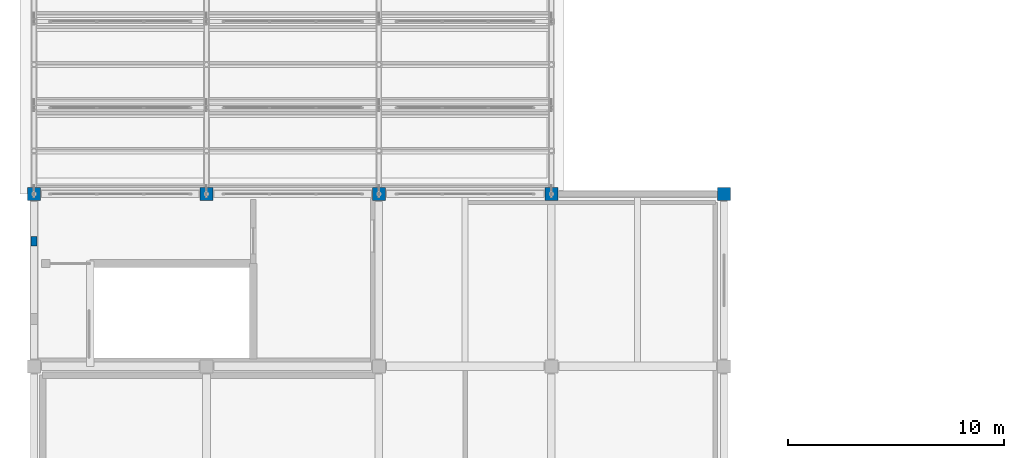
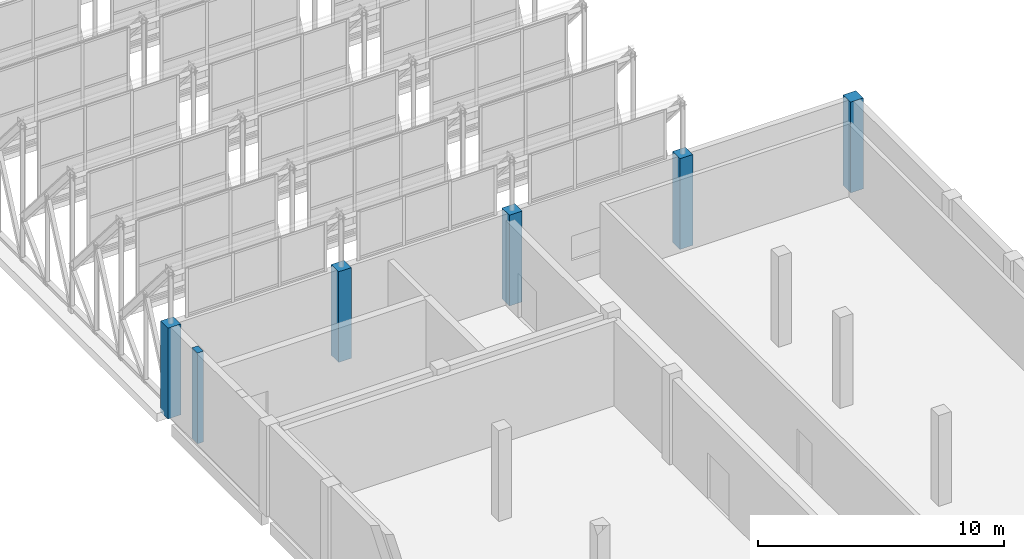
# One storey, part 4 of 43: 6 columns.
"""IFC4 building model written with IfcOpenShell, lengths in metres."""

from ifc_helpers import new_model, si_unit, direction, frame, origin, origin_2d, place, context, subcontext, project, spatial, rectangle, extrude, material, material_profile, profile_set, type_object, element, save


model = new_model("IFC4")

# Units and contexts
model_context = context("Model", 3, precision=1e-05, world=origin(), true_north=direction((0.0, 1.0)))
body_context = subcontext(model_context, "Body", "Model", "MODEL_VIEW")
ifc_project = project(units=[si_unit("LENGTHUNIT", "METRE"), si_unit("AREAUNIT", "SQUARE_METRE"), si_unit("VOLUMEUNIT", "CUBIC_METRE"), si_unit("PLANEANGLEUNIT", "RADIAN"), si_unit("MASSUNIT", "GRAM", prefix="KILO")], contexts=[model_context])

# Site, building, storey
site_placement = place(None, origin())
site = spatial("IfcSite", under=ifc_project, at=site_placement, CompositionType="ELEMENT")
building_placement = place(site_placement, origin())
building = spatial("IfcBuilding", under=site, at=building_placement, Name="Qorikala Patio Media Centre", CompositionType="ELEMENT")
storey_placement = place(building_placement, frame((0.0, 0.0, 18.89990234375)))
storey = spatial("IfcBuildingStorey", under=building, at=storey_placement, Name="L04", CompositionType="ELEMENT", Elevation=18.89990234375)

# Columns
ifc_material_1 = material(Name="Comanche Granite and Concrete C35/45", Category="masonry")
ifc_material_profile_1 = material_profile(ifc_material_1, rectangle(XDim=0.43994140625, YDim=0.280029296875, at=origin_2d()), Name="PIL 440x280")
ifc_profile_set_1 = profile_set([ifc_material_profile_1], Name="Comanche Granite and Concrete C35/45")
column_type_1 = type_object("IfcColumnType", Name="PIL-440X280", PredefinedType="PILASTER", material=ifc_profile_set_1)
column_placement = place(storey_placement, frame((3.0, 69.800048828125, 0.0), z_axis=(0.0, 0.0, 1.0), x_axis=(0.0, 1.0, 0.0)))
element("IfcColumn", 1, at=column_placement, inside=storey, type_object=column_type_1, Name="L04 West Street Core Pilaster 016", PredefinedType="PILASTER", context=body_context, shape_type="SweptSolid", body=[
    extrude(rectangle(XDim=0.43994140625, YDim=0.280029296875, at=origin_2d()), origin(), (0.0, 0.0, 1.0), 4.5),
])
ifc_material_2 = material(Name="Concrete C35/45", Category="concrete")
ifc_material_profile_2 = material_profile(ifc_material_2, rectangle(XDim=0.60009765625, YDim=0.60009765625, at=origin_2d()), Name="RC 600x600")
ifc_profile_set_2 = profile_set([ifc_material_profile_2], Name="Concrete C35/45")
column_type_2 = type_object("IfcColumnType", Name="RC-COL-600-EXT", PredefinedType="COLUMN", material=ifc_profile_set_2)
for number, where, z_axis, x_axis, name in (
    (2, (3.0, 72.0, 0.0), (0.0, 0.0, 1.0), (1.0, 0.0, 0.0), "L04 Column (3,72)"),
    (3, (11.0, 72.0, 0.0), (0.0, 0.0, 1.0), (1.0, 0.0, 0.0), "L04 Column (11,72)"),
    (4, (19.0, 72.0, 0.0), (0.0, 0.0, 1.0), (1.0, 0.0, 0.0), "L04 Column (19,72)"),
    (5, (27.0, 72.0, 0.0), (0.0, 0.0, 1.0), (1.0, 0.0, 0.0), "L04 Column (27,72)"),
    (6, (35.0, 72.0, 0.0), (0.0, 0.0, 1.0), (1.0, 0.0, 0.0), "L04 Column (35,72)"),
):
    element("IfcColumn", number, at=place(storey_placement, frame(where, z_axis=z_axis, x_axis=x_axis)), inside=storey, type_object=column_type_2, Name=name, PredefinedType="COLUMN", context=body_context, shape_type="SweptSolid", body=[
        extrude(rectangle(XDim=0.60009765625, YDim=0.60009765625, at=origin_2d()), origin(), (0.0, 0.0, 1.0), 4.5),
    ])

save(model, "model.ifc")
